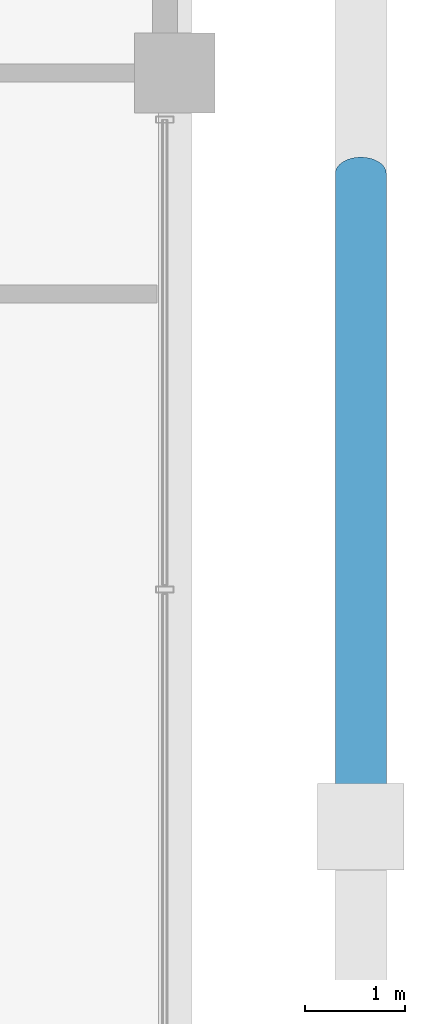
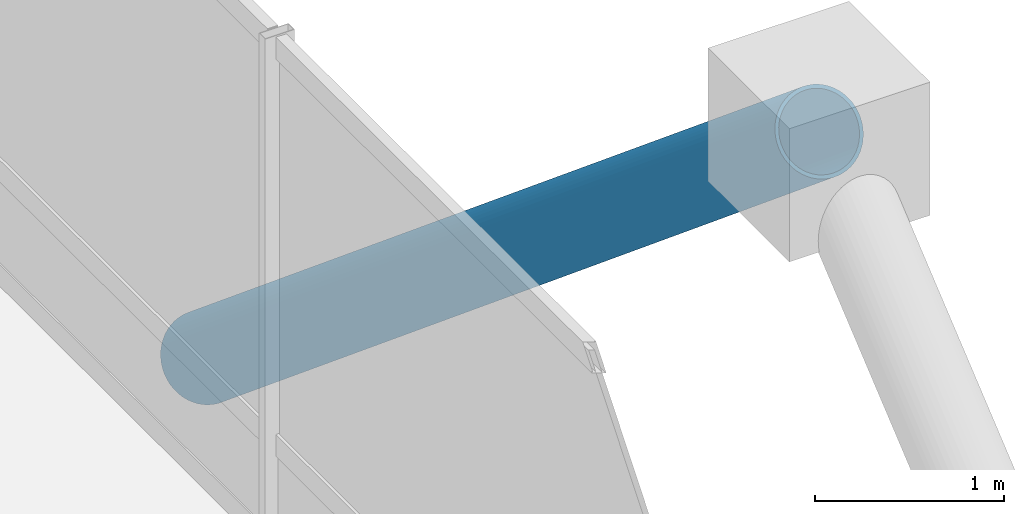
# One storey, part 10 of 23: 1 member.
"""IFC4 building model written with IfcOpenShell, lengths in metres."""

from ifc_helpers import new_model, si_unit, direction, frame, origin, origin_2d, place, context, subcontext, project, spatial, hollow_circle, extrude, material, material_profile, profile_set, type_object, element, save


model = new_model("IFC4")

# Units and contexts
model_context = context("Model", 3, precision=1e-05, world=origin(), true_north=direction((0.0, 1.0)))
body_context = subcontext(model_context, "Body", "Model", "MODEL_VIEW")
ifc_project = project(units=[si_unit("LENGTHUNIT", "METRE"), si_unit("AREAUNIT", "SQUARE_METRE"), si_unit("VOLUMEUNIT", "CUBIC_METRE"), si_unit("PLANEANGLEUNIT", "RADIAN"), si_unit("MASSUNIT", "GRAM", prefix="KILO")], contexts=[model_context])

# Site, building, storey
site_placement = place(None, origin())
site = spatial("IfcSite", under=ifc_project, at=site_placement, CompositionType="ELEMENT")
building_placement = place(site_placement, origin())
building = spatial("IfcBuilding", under=site, at=building_placement, Name="Barlavira Tower and Art Museum", CompositionType="ELEMENT")
storey_placement = place(building_placement, frame((0.0, 0.0, 140.39990234375)))
storey = spatial("IfcBuildingStorey", under=building, at=storey_placement, Name="L35", CompositionType="ELEMENT", Elevation=140.39990234375)

# Member
ifc_material = material(Name="Steel S355", Category="steel")
ifc_material_profile = material_profile(ifc_material, hollow_circle(Radius=0.25390625, WallThickness=0.022216796875, at=origin_2d()), Name="CHS 508.0x22.2")
ifc_profile_set = profile_set([ifc_material_profile], Name="Steel S355")
member_type = type_object("IfcMemberType", Name="Pale-Metal Exoskeleton Diagrid Tube CHS 508x22 Steel S355", PredefinedType="BRACE", material=ifc_profile_set)
member_placement = place(storey_placement, frame((22.10009765625, 6.5, -1.919921875), z_axis=(0.0, -0.769196053329, 0.639012857104), x_axis=(1.0, 0.0, 0.0)))
element("IfcMember", 1, at=member_placement, inside=storey, type_object=member_type, Name="L35 Exoskeleton Diagrid Tube E", PredefinedType="BRACE", context=body_context, shape_type="SweptSolid", body=[
    extrude(hollow_circle(Radius=0.25390625, WallThickness=0.022216796875, at=origin_2d()), origin(), (0.0, 0.0, 1.0), 8.450439453125),
])

save(model, "model.ifc")
